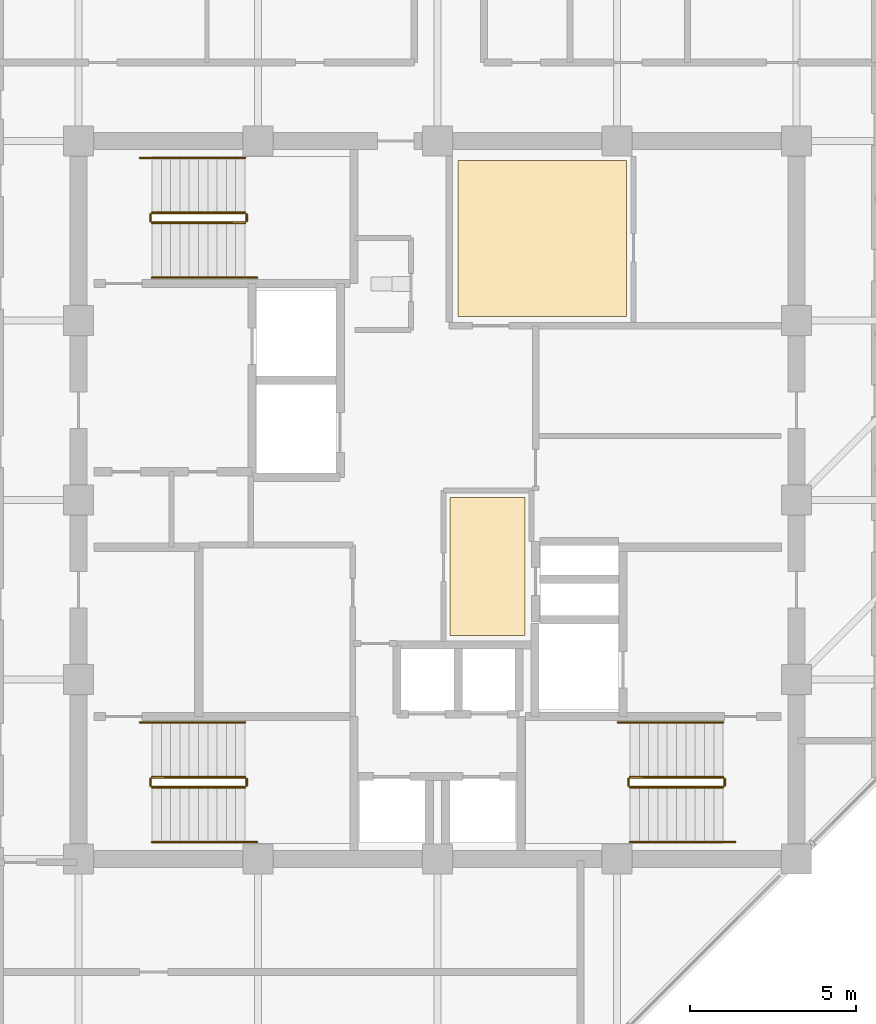
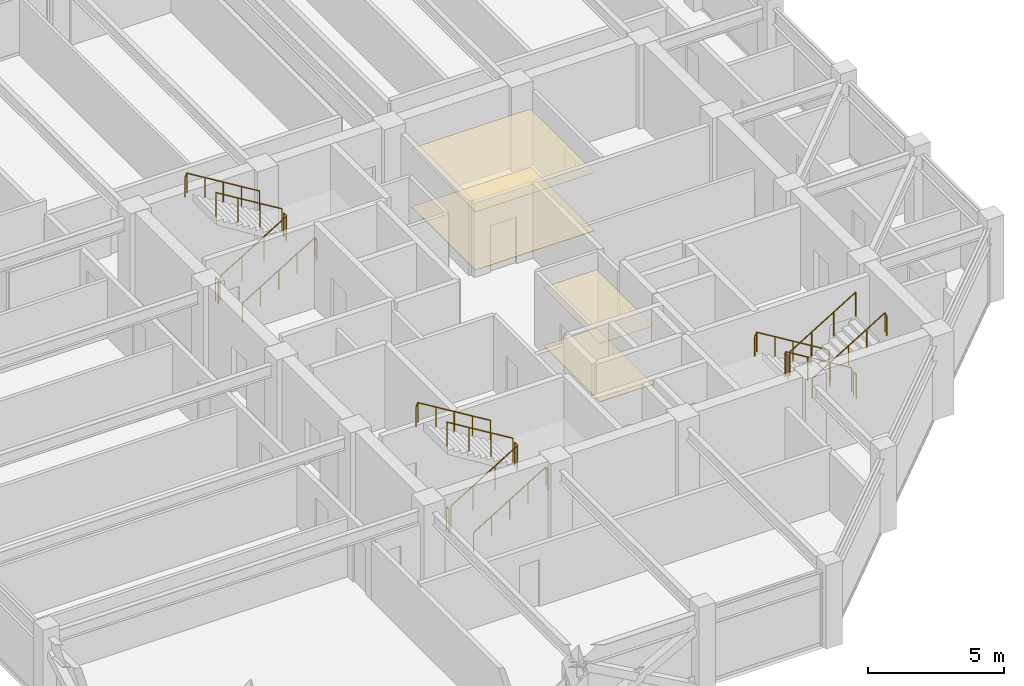
# One storey, part 30 of 31: 18 railings, 4 coverings.
"""IFC4 building model written with IfcOpenShell, lengths in metres."""

from ifc_helpers import new_model, si_unit, direction, frame, origin, origin_2d, place, context, subcontext, project, spatial, polyline, circle, outline, extrude, material, layer, layer_set, type_object, element, save


model = new_model("IFC4")

# Units and contexts
model_context = context("Model", 3, precision=1e-05, world=origin(), true_north=direction((0.0, 1.0)))
body_context = subcontext(model_context, "Body", "Model", "MODEL_VIEW")
ifc_project = project(units=[si_unit("LENGTHUNIT", "METRE"), si_unit("AREAUNIT", "SQUARE_METRE"), si_unit("VOLUMEUNIT", "CUBIC_METRE"), si_unit("PLANEANGLEUNIT", "RADIAN"), si_unit("MASSUNIT", "GRAM", prefix="KILO")], contexts=[model_context])

# Site, building, storey
site_placement = place(None, origin())
site = spatial("IfcSite", under=ifc_project, at=site_placement, CompositionType="ELEMENT")
building_placement = place(site_placement, origin())
building = spatial("IfcBuilding", under=site, at=building_placement, Name="Surkhivell Harbour Commons", CompositionType="ELEMENT")
storey_placement = place(building_placement, frame((0.0, 0.0, 333.75)))
storey = spatial("IfcBuildingStorey", under=building, at=storey_placement, Name="L87", CompositionType="ELEMENT", Elevation=333.75)

# Coverings
ifc_material_1 = material(Name="Perforated acoustic mineral-fibre ceiling tile", Category="other")
ifc_layer_1 = layer(ifc_material_1, 0.02490234375)
ifc_layer_set_1 = layer_set([ifc_layer_1], Name="Perforated acoustic mineral-fibre ceiling tile")
covering_type_1 = type_object("IfcCoveringType", Name="COV-CEIL-AC", PredefinedType="CEILING", material=ifc_layer_set_1)
covering_1_placement = place(storey_placement, frame((0.0, 0.0, 2.612060546875)))
element("IfcCovering", 1, at=covering_1_placement, inside=storey, type_object=covering_type_1, Name="L87 Suspended Acoustic Ceiling 1", PredefinedType="CEILING", context=body_context, shape_type="SweptSolid", body=[
    extrude(outline(polyline([(0.3701171875, -4.080078125), (2.6298828125, -4.080078125), (2.6298828125, 0.080078125), (0.3701171875, 0.080078125), (0.3701171875, -4.080078125)])), origin(), (0.0, 0.0, 1.0), 0.02490234375),
])
ifc_material_2 = material(Name="Moisture-resistant gypsum acoustic ceiling board", Category="other")
ifc_layer_2 = layer(ifc_material_2, 0.030029296875)
ifc_layer_set_2 = layer_set([ifc_layer_2], Name="Moisture-resistant gypsum acoustic ceiling board")
covering_type_2 = type_object("IfcCoveringType", Name="COV-CEIL-GYP", PredefinedType="CEILING", material=ifc_layer_set_2)
covering_2_placement = place(storey_placement, frame((0.0, 0.0, 2.60693359375)))
element("IfcCovering", 2, at=covering_2_placement, inside=storey, type_object=covering_type_2, Name="L87 Suspended Acoustic Ceiling 2", PredefinedType="CEILING", context=body_context, shape_type="SweptSolid", body=[
    extrude(outline(polyline([(0.6201171875, 5.52001953125), (5.679931640625, 5.52001953125), (5.679931640625, 10.219970703125), (0.6201171875, 10.219970703125), (0.6201171875, 5.52001953125)])), origin(), (0.0, 0.0, 1.0), 0.030029296875),
])
ifc_material_3 = material(Name="Engineered acoustic oak timber flooring", Category="wood")
ifc_layer_3 = layer(ifc_material_3, 0.02001953125)
ifc_layer_set_3 = layer_set([ifc_layer_3], Name="Engineered acoustic oak timber flooring")
covering_type_3 = type_object("IfcCoveringType", Name="COV-FLR-TIM", PredefinedType="FLOORING", material=ifc_layer_set_3)
covering_3_placement = place(storey_placement, origin())
element("IfcCovering", 3, at=covering_3_placement, inside=storey, type_object=covering_type_3, Name="L87 Interior Floor Finish 1", PredefinedType="FLOORING", context=body_context, shape_type="SweptSolid", body=[
    extrude(outline(polyline([(0.3701171875, -4.080078125), (2.6298828125, -4.080078125), (2.6298828125, 0.080078125), (0.3701171875, 0.080078125), (0.3701171875, -4.080078125)])), origin(), (0.0, 0.0, 1.0), 0.02001953125),
])
covering_4_placement = place(storey_placement, origin())
element("IfcCovering", 4, at=covering_4_placement, inside=storey, type_object=covering_type_3, Name="L87 Interior Floor Finish 2", PredefinedType="FLOORING", context=body_context, shape_type="SweptSolid", body=[
    extrude(outline(polyline([(0.6201171875, 5.52001953125), (5.679931640625, 5.52001953125), (5.679931640625, 10.219970703125), (0.6201171875, 10.219970703125), (0.6201171875, 5.52001953125)])), origin(), (0.0, 0.0, 1.0), 0.02001953125),
])

# Railings
ifc_material_4 = material(Name="Galvanised and painted steel S355 guard rail", Category="steel")
railing_type_1 = type_object("IfcRailingType", Name="RAL-ST-GRD1100", PredefinedType="GUARDRAIL", material=ifc_material_4)
railing_1_placement = place(storey_placement, frame((-8.590087890625, 8.340087890625, 0.17041015625)))
element("IfcRailing", 5, at=railing_1_placement, inside=storey, type_object=railing_type_1, Name="L87 ST1 stair guard 1", PredefinedType="GUARDRAIL", context=body_context, shape_type="SweptSolid", body=[
    extrude(circle(Radius=0.02392578125, at=origin_2d()), frame((0.0, 0.0, 1.076171875), z_axis=(0.854169791009, 0.0, 0.51999420009), x_axis=(0.0, 1.0, 0.0)), (0.0, 0.0, 1.0), 3.278076171875),
    extrude(circle(Radius=0.02099609375, at=origin_2d()), origin(), (0.0, 0.0, 1.0), 1.052001953125),
    extrude(circle(Radius=0.02099609375, at=origin_2d()), frame((0.933349609375, 0.0, 0.568115234375)), (0.0, 0.0, 1.0), 1.052001953125),
    extrude(circle(Radius=0.02099609375, at=origin_2d()), frame((1.86669921875, 0.0, 1.136474609375)), (0.0, 0.0, 1.0), 1.052001953125),
    extrude(circle(Radius=0.02099609375, at=origin_2d()), frame((2.800048828125, 0.0, 1.70458984375)), (0.0, 0.0, 1.0), 1.052001953125),
])
railing_2_placement = place(storey_placement, frame((-5.739990234375, 8.389892578125, 1.875)))
element("IfcRailing", 6, at=railing_2_placement, inside=storey, type_object=railing_type_1, Name="L87 ST1 stair guard 2", PredefinedType="GUARDRAIL", context=body_context, shape_type="SweptSolid", body=[
    extrude(circle(Radius=0.02392578125, at=origin_2d()), frame((0.0, 0.0, 1.076171875), z_axis=(0.0, 1.0, 0.0), x_axis=(-1.0, 0.0, 0.0)), (0.0, 0.0, 1.0), 0.2001953125),
    extrude(circle(Radius=0.02099609375, at=origin_2d()), origin(), (0.0, 0.0, 1.0), 1.052001953125),
    extrude(circle(Radius=0.02099609375, at=origin_2d()), frame((0.0, 0.2001953125, 0.0)), (0.0, 0.0, 1.0), 1.052001953125),
])
railing_3_placement = place(storey_placement, frame((-5.7900390625, 8.639892578125, 2.04541015625)))
element("IfcRailing", 7, at=railing_3_placement, inside=storey, type_object=railing_type_1, Name="L87 ST1 stair guard 3", PredefinedType="GUARDRAIL", context=body_context, shape_type="SweptSolid", body=[
    extrude(circle(Radius=0.02392578125, at=origin_2d()), frame((0.0, 0.0, 1.076171875), z_axis=(-0.854169791009, 0.0, 0.51999420009), x_axis=(0.0, -1.0, 0.0)), (0.0, 0.0, 1.0), 3.278076171875),
    extrude(circle(Radius=0.02099609375, at=origin_2d()), origin(), (0.0, 0.0, 1.0), 1.052001953125),
    extrude(circle(Radius=0.02099609375, at=origin_2d()), frame((-0.933349609375, 0.0, 0.568115234375)), (0.0, 0.0, 1.0), 1.052001953125),
    extrude(circle(Radius=0.02099609375, at=origin_2d()), frame((-1.86669921875, 0.0, 1.136474609375)), (0.0, 0.0, 1.0), 1.052001953125),
    extrude(circle(Radius=0.02099609375, at=origin_2d()), frame((-2.800048828125, 0.0, 1.70458984375)), (0.0, 0.0, 1.0), 1.052001953125),
])
railing_4_placement = place(storey_placement, frame((-8.639892578125, 8.389892578125, 0.0)))
element("IfcRailing", 8, at=railing_4_placement, inside=storey, type_object=railing_type_1, Name="L87 ST1 stair guard 4", PredefinedType="GUARDRAIL", context=body_context, shape_type="SweptSolid", body=[
    extrude(circle(Radius=0.02392578125, at=origin_2d()), frame((0.0, 0.0, 1.076171875), z_axis=(0.0, 1.0, 0.0), x_axis=(-1.0, 0.0, 0.0)), (0.0, 0.0, 1.0), 0.2001953125),
    extrude(circle(Radius=0.02099609375, at=origin_2d()), origin(), (0.0, 0.0, 1.0), 1.052001953125),
    extrude(circle(Radius=0.02099609375, at=origin_2d()), frame((0.0, 0.2001953125, 0.0)), (0.0, 0.0, 1.0), 1.052001953125),
])
railing_5_placement = place(storey_placement, frame((8.590087890625, -8.340087890625, 0.17041015625)))
element("IfcRailing", 9, at=railing_5_placement, inside=storey, type_object=railing_type_1, Name="L87 ST2 stair guard 1", PredefinedType="GUARDRAIL", context=body_context, shape_type="SweptSolid", body=[
    extrude(circle(Radius=0.02392578125, at=origin_2d()), frame((0.0, 0.0, 1.076171875), z_axis=(-0.854169791009, 0.0, 0.51999420009), x_axis=(0.0, -1.0, 0.0)), (0.0, 0.0, 1.0), 3.278076171875),
    extrude(circle(Radius=0.02099609375, at=origin_2d()), origin(), (0.0, 0.0, 1.0), 1.052001953125),
    extrude(circle(Radius=0.02099609375, at=origin_2d()), frame((-0.933349609375, 0.0, 0.568115234375)), (0.0, 0.0, 1.0), 1.052001953125),
    extrude(circle(Radius=0.02099609375, at=origin_2d()), frame((-1.86669921875, 0.0, 1.136474609375)), (0.0, 0.0, 1.0), 1.052001953125),
    extrude(circle(Radius=0.02099609375, at=origin_2d()), frame((-2.800048828125, 0.0, 1.70458984375)), (0.0, 0.0, 1.0), 1.052001953125),
])
railing_6_placement = place(storey_placement, frame((5.739990234375, -8.389892578125, 1.875)))
element("IfcRailing", 10, at=railing_6_placement, inside=storey, type_object=railing_type_1, Name="L87 ST2 stair guard 2", PredefinedType="GUARDRAIL", context=body_context, shape_type="SweptSolid", body=[
    extrude(circle(Radius=0.02392578125, at=origin_2d()), frame((0.0, 0.0, 1.076171875), z_axis=(0.0, -1.0, 0.0), x_axis=(1.0, 0.0, 0.0)), (0.0, 0.0, 1.0), 0.2001953125),
    extrude(circle(Radius=0.02099609375, at=origin_2d()), origin(), (0.0, 0.0, 1.0), 1.052001953125),
    extrude(circle(Radius=0.02099609375, at=origin_2d()), frame((0.0, -0.2001953125, 0.0)), (0.0, 0.0, 1.0), 1.052001953125),
])
railing_7_placement = place(storey_placement, frame((5.7900390625, -8.639892578125, 2.04541015625)))
element("IfcRailing", 11, at=railing_7_placement, inside=storey, type_object=railing_type_1, Name="L87 ST2 stair guard 3", PredefinedType="GUARDRAIL", context=body_context, shape_type="SweptSolid", body=[
    extrude(circle(Radius=0.02392578125, at=origin_2d()), frame((0.0, 0.0, 1.076171875), z_axis=(0.854169791009, 0.0, 0.51999420009), x_axis=(0.0, 1.0, 0.0)), (0.0, 0.0, 1.0), 3.278076171875),
    extrude(circle(Radius=0.02099609375, at=origin_2d()), origin(), (0.0, 0.0, 1.0), 1.052001953125),
    extrude(circle(Radius=0.02099609375, at=origin_2d()), frame((0.933349609375, 0.0, 0.568115234375)), (0.0, 0.0, 1.0), 1.052001953125),
    extrude(circle(Radius=0.02099609375, at=origin_2d()), frame((1.86669921875, 0.0, 1.136474609375)), (0.0, 0.0, 1.0), 1.052001953125),
    extrude(circle(Radius=0.02099609375, at=origin_2d()), frame((2.800048828125, 0.0, 1.70458984375)), (0.0, 0.0, 1.0), 1.052001953125),
])
railing_8_placement = place(storey_placement, frame((8.639892578125, -8.389892578125, 0.0)))
element("IfcRailing", 12, at=railing_8_placement, inside=storey, type_object=railing_type_1, Name="L87 ST2 stair guard 4", PredefinedType="GUARDRAIL", context=body_context, shape_type="SweptSolid", body=[
    extrude(circle(Radius=0.02392578125, at=origin_2d()), frame((0.0, 0.0, 1.076171875), z_axis=(0.0, -1.0, 0.0), x_axis=(1.0, 0.0, 0.0)), (0.0, 0.0, 1.0), 0.2001953125),
    extrude(circle(Radius=0.02099609375, at=origin_2d()), origin(), (0.0, 0.0, 1.0), 1.052001953125),
    extrude(circle(Radius=0.02099609375, at=origin_2d()), frame((0.0, -0.2001953125, 0.0)), (0.0, 0.0, 1.0), 1.052001953125),
])
railing_9_placement = place(storey_placement, frame((-8.590087890625, -8.639892578125, 0.17041015625)))
element("IfcRailing", 13, at=railing_9_placement, inside=storey, type_object=railing_type_1, Name="L87 ST3 stair guard 1", PredefinedType="GUARDRAIL", context=body_context, shape_type="SweptSolid", body=[
    extrude(circle(Radius=0.02392578125, at=origin_2d()), frame((0.0, 0.0, 1.076171875), z_axis=(0.854169791009, 0.0, 0.51999420009), x_axis=(0.0, 1.0, 0.0)), (0.0, 0.0, 1.0), 3.278076171875),
    extrude(circle(Radius=0.02099609375, at=origin_2d()), origin(), (0.0, 0.0, 1.0), 1.052001953125),
    extrude(circle(Radius=0.02099609375, at=origin_2d()), frame((0.933349609375, 0.0, 0.568115234375)), (0.0, 0.0, 1.0), 1.052001953125),
    extrude(circle(Radius=0.02099609375, at=origin_2d()), frame((1.86669921875, 0.0, 1.136474609375)), (0.0, 0.0, 1.0), 1.052001953125),
    extrude(circle(Radius=0.02099609375, at=origin_2d()), frame((2.800048828125, 0.0, 1.70458984375)), (0.0, 0.0, 1.0), 1.052001953125),
])
railing_10_placement = place(storey_placement, frame((-5.739990234375, -8.590087890625, 1.875)))
element("IfcRailing", 14, at=railing_10_placement, inside=storey, type_object=railing_type_1, Name="L87 ST3 stair guard 2", PredefinedType="GUARDRAIL", context=body_context, shape_type="SweptSolid", body=[
    extrude(circle(Radius=0.02392578125, at=origin_2d()), frame((0.0, 0.0, 1.076171875), z_axis=(0.0, 1.0, 0.0), x_axis=(-1.0, 0.0, 0.0)), (0.0, 0.0, 1.0), 0.2001953125),
    extrude(circle(Radius=0.02099609375, at=origin_2d()), origin(), (0.0, 0.0, 1.0), 1.052001953125),
    extrude(circle(Radius=0.02099609375, at=origin_2d()), frame((0.0, 0.2001953125, 0.0)), (0.0, 0.0, 1.0), 1.052001953125),
])
railing_11_placement = place(storey_placement, frame((-5.7900390625, -8.340087890625, 2.04541015625)))
element("IfcRailing", 15, at=railing_11_placement, inside=storey, type_object=railing_type_1, Name="L87 ST3 stair guard 3", PredefinedType="GUARDRAIL", context=body_context, shape_type="SweptSolid", body=[
    extrude(circle(Radius=0.02392578125, at=origin_2d()), frame((0.0, 0.0, 1.076171875), z_axis=(-0.854169791009, 0.0, 0.51999420009), x_axis=(0.0, -1.0, 0.0)), (0.0, 0.0, 1.0), 3.278076171875),
    extrude(circle(Radius=0.02099609375, at=origin_2d()), origin(), (0.0, 0.0, 1.0), 1.052001953125),
    extrude(circle(Radius=0.02099609375, at=origin_2d()), frame((-0.933349609375, 0.0, 0.568115234375)), (0.0, 0.0, 1.0), 1.052001953125),
    extrude(circle(Radius=0.02099609375, at=origin_2d()), frame((-1.86669921875, 0.0, 1.136474609375)), (0.0, 0.0, 1.0), 1.052001953125),
    extrude(circle(Radius=0.02099609375, at=origin_2d()), frame((-2.800048828125, 0.0, 1.70458984375)), (0.0, 0.0, 1.0), 1.052001953125),
])
railing_12_placement = place(storey_placement, frame((-8.639892578125, -8.590087890625, 0.0)))
element("IfcRailing", 16, at=railing_12_placement, inside=storey, type_object=railing_type_1, Name="L87 ST3 stair guard 4", PredefinedType="GUARDRAIL", context=body_context, shape_type="SweptSolid", body=[
    extrude(circle(Radius=0.02392578125, at=origin_2d()), frame((0.0, 0.0, 1.076171875), z_axis=(0.0, 1.0, 0.0), x_axis=(-1.0, 0.0, 0.0)), (0.0, 0.0, 1.0), 0.2001953125),
    extrude(circle(Radius=0.02099609375, at=origin_2d()), origin(), (0.0, 0.0, 1.0), 1.052001953125),
    extrude(circle(Radius=0.02099609375, at=origin_2d()), frame((0.0, 0.2001953125, 0.0)), (0.0, 0.0, 1.0), 1.052001953125),
])
ifc_material_5 = material(Name="Brushed stainless steel S355 handrail", Category="steel")
railing_type_2 = type_object("IfcRailingType", Name="RAL-ST-HND900", PredefinedType="HANDRAIL", material=ifc_material_5)
railing_13_placement = place(storey_placement, frame((-8.590087890625, 6.68994140625, 0.17041015625)))
element("IfcRailing", 17, at=railing_13_placement, inside=storey, type_object=railing_type_2, Name="L87 ST1 stair handrail 1", PredefinedType="HANDRAIL", context=body_context, shape_type="SweptSolid", body=[
    extrude(circle(Radius=0.02392578125, at=origin_2d()), frame((0.0, 0.0, 0.8759765625), z_axis=(0.854177636135, 0.0, 0.519981313056), x_axis=(0.0, 1.0, 0.0)), (0.0, 0.0, 1.0), 3.60595703125),
    extrude(circle(Radius=0.02392578125, at=origin_2d()), frame((3.080078125, 0.0, 2.7509765625), z_axis=(0.425297416671, 0.0, -0.905053648892), x_axis=(0.0, 1.0, 0.0)), (0.0, 0.0, 1.0), 0.188232421875),
    extrude(circle(Radius=0.02099609375, at=origin_2d()), origin(), (0.0, 0.0, 1.0), 0.851806640625),
    extrude(circle(Radius=0.02099609375, at=origin_2d()), frame((0.77001953125, 0.0, 0.46875)), (0.0, 0.0, 1.0), 0.851806640625),
    extrude(circle(Radius=0.02099609375, at=origin_2d()), frame((1.5400390625, 0.0, 0.9375)), (0.0, 0.0, 1.0), 0.851806640625),
    extrude(circle(Radius=0.02099609375, at=origin_2d()), frame((2.31005859375, 0.0, 1.40625)), (0.0, 0.0, 1.0), 0.851806640625),
    extrude(circle(Radius=0.02099609375, at=origin_2d()), frame((3.080078125, 0.0, 1.875)), (0.0, 0.0, 1.0), 0.851806640625),
    extrude(circle(Radius=0.02099609375, at=origin_2d()), frame((3.16015625, 0.0, 1.70458984375)), (0.0, 0.0, 1.0), 0.851806640625),
])
railing_14_placement = place(storey_placement, frame((-5.7900390625, 10.2900390625, 2.04541015625)))
element("IfcRailing", 18, at=railing_14_placement, inside=storey, type_object=railing_type_2, Name="L87 ST1 stair handrail 2", PredefinedType="HANDRAIL", context=body_context, shape_type="SweptSolid", body=[
    extrude(circle(Radius=0.02392578125, at=origin_2d()), frame((0.0, 0.0, 0.8759765625), z_axis=(-0.854177636135, 0.0, 0.519981313056), x_axis=(0.0, -1.0, 0.0)), (0.0, 0.0, 1.0), 3.60595703125),
    extrude(circle(Radius=0.02392578125, at=origin_2d()), frame((-3.080078125, 0.0, 2.7509765625), z_axis=(-0.424234432967, 0.0, -0.905552398199), x_axis=(0.0, -1.0, 0.0)), (0.0, 0.0, 1.0), 0.188232421875),
    extrude(circle(Radius=0.02099609375, at=origin_2d()), origin(), (0.0, 0.0, 1.0), 0.851806640625),
    extrude(circle(Radius=0.02099609375, at=origin_2d()), frame((-0.77001953125, 0.0, 0.46875)), (0.0, 0.0, 1.0), 0.851806640625),
    extrude(circle(Radius=0.02099609375, at=origin_2d()), frame((-1.5400390625, 0.0, 0.9375)), (0.0, 0.0, 1.0), 0.851806640625),
    extrude(circle(Radius=0.02099609375, at=origin_2d()), frame((-2.31005859375, 0.0, 1.40625)), (0.0, 0.0, 1.0), 0.851806640625),
    extrude(circle(Radius=0.02099609375, at=origin_2d()), frame((-3.080078125, 0.0, 1.875)), (0.0, 0.0, 1.0), 0.851806640625),
    extrude(circle(Radius=0.02099609375, at=origin_2d()), frame((-3.159912109375, 0.0, 1.70458984375)), (0.0, 0.0, 1.0), 0.851806640625),
])
railing_15_placement = place(storey_placement, frame((8.590087890625, -6.68994140625, 0.17041015625)))
element("IfcRailing", 19, at=railing_15_placement, inside=storey, type_object=railing_type_2, Name="L87 ST2 stair handrail 1", PredefinedType="HANDRAIL", context=body_context, shape_type="SweptSolid", body=[
    extrude(circle(Radius=0.02392578125, at=origin_2d()), frame((0.0, 0.0, 0.8759765625), z_axis=(-0.854177636135, 0.0, 0.519981313056), x_axis=(0.0, -1.0, 0.0)), (0.0, 0.0, 1.0), 3.60595703125),
    extrude(circle(Radius=0.02392578125, at=origin_2d()), frame((-3.080078125, 0.0, 2.7509765625), z_axis=(-0.425297416671, 0.0, -0.905053648892), x_axis=(0.0, -1.0, 0.0)), (0.0, 0.0, 1.0), 0.188232421875),
    extrude(circle(Radius=0.02099609375, at=origin_2d()), origin(), (0.0, 0.0, 1.0), 0.851806640625),
    extrude(circle(Radius=0.02099609375, at=origin_2d()), frame((-0.77001953125, 0.0, 0.46875)), (0.0, 0.0, 1.0), 0.851806640625),
    extrude(circle(Radius=0.02099609375, at=origin_2d()), frame((-1.5400390625, 0.0, 0.9375)), (0.0, 0.0, 1.0), 0.851806640625),
    extrude(circle(Radius=0.02099609375, at=origin_2d()), frame((-2.31005859375, 0.0, 1.40625)), (0.0, 0.0, 1.0), 0.851806640625),
    extrude(circle(Radius=0.02099609375, at=origin_2d()), frame((-3.080078125, 0.0, 1.875)), (0.0, 0.0, 1.0), 0.851806640625),
    extrude(circle(Radius=0.02099609375, at=origin_2d()), frame((-3.16015625, 0.0, 1.70458984375)), (0.0, 0.0, 1.0), 0.851806640625),
])
railing_16_placement = place(storey_placement, frame((5.7900390625, -10.2900390625, 2.04541015625)))
element("IfcRailing", 20, at=railing_16_placement, inside=storey, type_object=railing_type_2, Name="L87 ST2 stair handrail 2", PredefinedType="HANDRAIL", context=body_context, shape_type="SweptSolid", body=[
    extrude(circle(Radius=0.02392578125, at=origin_2d()), frame((0.0, 0.0, 0.8759765625), z_axis=(0.854177636135, 0.0, 0.519981313056), x_axis=(0.0, 1.0, 0.0)), (0.0, 0.0, 1.0), 3.60595703125),
    extrude(circle(Radius=0.02392578125, at=origin_2d()), frame((3.080078125, 0.0, 2.7509765625), z_axis=(0.424234432967, 0.0, -0.905552398199), x_axis=(0.0, 1.0, 0.0)), (0.0, 0.0, 1.0), 0.188232421875),
    extrude(circle(Radius=0.02099609375, at=origin_2d()), origin(), (0.0, 0.0, 1.0), 0.851806640625),
    extrude(circle(Radius=0.02099609375, at=origin_2d()), frame((0.77001953125, 0.0, 0.46875)), (0.0, 0.0, 1.0), 0.851806640625),
    extrude(circle(Radius=0.02099609375, at=origin_2d()), frame((1.5400390625, 0.0, 0.9375)), (0.0, 0.0, 1.0), 0.851806640625),
    extrude(circle(Radius=0.02099609375, at=origin_2d()), frame((2.31005859375, 0.0, 1.40625)), (0.0, 0.0, 1.0), 0.851806640625),
    extrude(circle(Radius=0.02099609375, at=origin_2d()), frame((3.080078125, 0.0, 1.875)), (0.0, 0.0, 1.0), 0.851806640625),
    extrude(circle(Radius=0.02099609375, at=origin_2d()), frame((3.159912109375, 0.0, 1.70458984375)), (0.0, 0.0, 1.0), 0.851806640625),
])
railing_17_placement = place(storey_placement, frame((-8.590087890625, -10.2900390625, 0.17041015625)))
element("IfcRailing", 21, at=railing_17_placement, inside=storey, type_object=railing_type_2, Name="L87 ST3 stair handrail 1", PredefinedType="HANDRAIL", context=body_context, shape_type="SweptSolid", body=[
    extrude(circle(Radius=0.02392578125, at=origin_2d()), frame((0.0, 0.0, 0.8759765625), z_axis=(0.854177636135, 0.0, 0.519981313056), x_axis=(0.0, 1.0, 0.0)), (0.0, 0.0, 1.0), 3.60595703125),
    extrude(circle(Radius=0.02392578125, at=origin_2d()), frame((3.080078125, 0.0, 2.7509765625), z_axis=(0.425297416671, 0.0, -0.905053648892), x_axis=(0.0, 1.0, 0.0)), (0.0, 0.0, 1.0), 0.188232421875),
    extrude(circle(Radius=0.02099609375, at=origin_2d()), origin(), (0.0, 0.0, 1.0), 0.851806640625),
    extrude(circle(Radius=0.02099609375, at=origin_2d()), frame((0.77001953125, 0.0, 0.46875)), (0.0, 0.0, 1.0), 0.851806640625),
    extrude(circle(Radius=0.02099609375, at=origin_2d()), frame((1.5400390625, 0.0, 0.9375)), (0.0, 0.0, 1.0), 0.851806640625),
    extrude(circle(Radius=0.02099609375, at=origin_2d()), frame((2.31005859375, 0.0, 1.40625)), (0.0, 0.0, 1.0), 0.851806640625),
    extrude(circle(Radius=0.02099609375, at=origin_2d()), frame((3.080078125, 0.0, 1.875)), (0.0, 0.0, 1.0), 0.851806640625),
    extrude(circle(Radius=0.02099609375, at=origin_2d()), frame((3.16015625, 0.0, 1.70458984375)), (0.0, 0.0, 1.0), 0.851806640625),
])
railing_18_placement = place(storey_placement, frame((-5.7900390625, -6.68994140625, 2.04541015625)))
element("IfcRailing", 22, at=railing_18_placement, inside=storey, type_object=railing_type_2, Name="L87 ST3 stair handrail 2", PredefinedType="HANDRAIL", context=body_context, shape_type="SweptSolid", body=[
    extrude(circle(Radius=0.02392578125, at=origin_2d()), frame((0.0, 0.0, 0.8759765625), z_axis=(-0.854177636135, 0.0, 0.519981313056), x_axis=(0.0, -1.0, 0.0)), (0.0, 0.0, 1.0), 3.60595703125),
    extrude(circle(Radius=0.02392578125, at=origin_2d()), frame((-3.080078125, 0.0, 2.7509765625), z_axis=(-0.424234432967, 0.0, -0.905552398199), x_axis=(0.0, -1.0, 0.0)), (0.0, 0.0, 1.0), 0.188232421875),
    extrude(circle(Radius=0.02099609375, at=origin_2d()), origin(), (0.0, 0.0, 1.0), 0.851806640625),
    extrude(circle(Radius=0.02099609375, at=origin_2d()), frame((-0.77001953125, 0.0, 0.46875)), (0.0, 0.0, 1.0), 0.851806640625),
    extrude(circle(Radius=0.02099609375, at=origin_2d()), frame((-1.5400390625, 0.0, 0.9375)), (0.0, 0.0, 1.0), 0.851806640625),
    extrude(circle(Radius=0.02099609375, at=origin_2d()), frame((-2.31005859375, 0.0, 1.40625)), (0.0, 0.0, 1.0), 0.851806640625),
    extrude(circle(Radius=0.02099609375, at=origin_2d()), frame((-3.080078125, 0.0, 1.875)), (0.0, 0.0, 1.0), 0.851806640625),
    extrude(circle(Radius=0.02099609375, at=origin_2d()), frame((-3.159912109375, 0.0, 1.70458984375)), (0.0, 0.0, 1.0), 0.851806640625),
])

save(model, "model.ifc")
